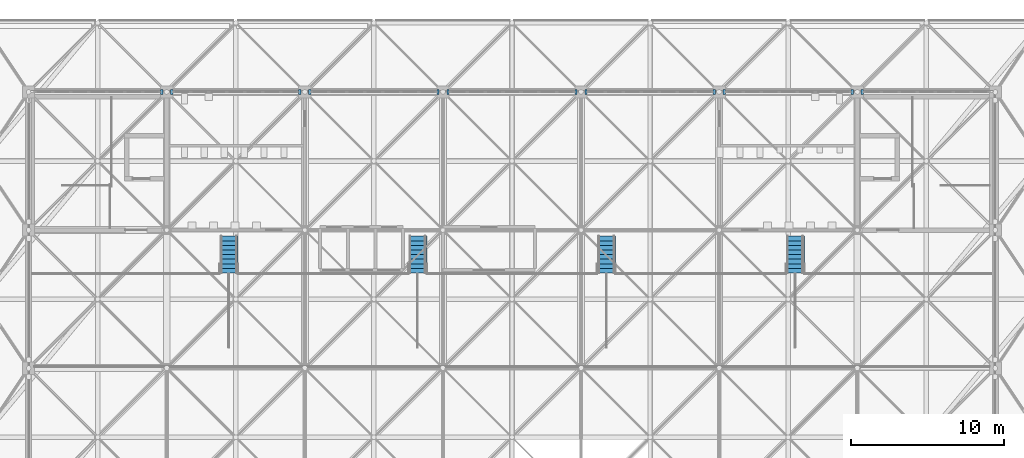
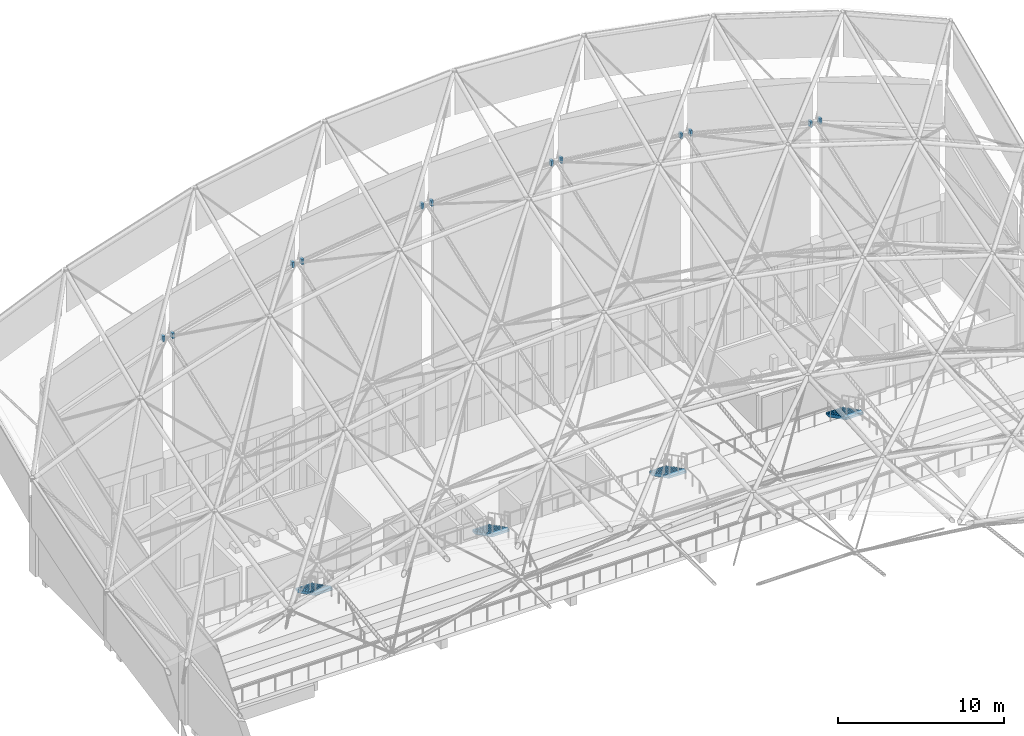
# One storey, part 282 of 437: 12 walls, 4 stair flights, 4 elements without a shape of their own.
"""IFC4 building model written with IfcOpenShell, lengths in metres."""

from ifc_helpers import new_model, si_unit, direction, frame, frame_2d, origin, place, context, subcontext, project, spatial, polyline, rectangle, outline, extrude, material, layer, layer_set, type_object, element, aggregate, save


model = new_model("IFC4")

# Units and contexts
model_context = context("Model", 3, precision=1e-05, world=origin(), true_north=direction((0.0, 1.0)))
body_context = subcontext(model_context, "Body", "Model", "MODEL_VIEW")
ifc_project = project(units=[si_unit("LENGTHUNIT", "METRE"), si_unit("AREAUNIT", "SQUARE_METRE"), si_unit("VOLUMEUNIT", "CUBIC_METRE"), si_unit("PLANEANGLEUNIT", "RADIAN"), si_unit("MASSUNIT", "GRAM", prefix="KILO")], contexts=[model_context])

# Site, building, storey
site_placement = place(None, origin())
site = spatial("IfcSite", under=ifc_project, at=site_placement, CompositionType="ELEMENT")
building_placement = place(site_placement, origin())
building = spatial("IfcBuilding", under=site, at=building_placement, Name="Opaline Strait Convention Centre", CompositionType="ELEMENT")
storey_placement = place(building_placement, frame((0.0, 0.0, 11.5)))
storey = spatial("IfcBuildingStorey", under=building, at=storey_placement, Name="L02", CompositionType="ELEMENT", Elevation=11.5)

# Walls
ifc_material_1 = material(Name="Precast concrete C40/50, white finish", Category="concrete")
ifc_layer_1 = layer(ifc_material_1, 0.219970703125)
ifc_material_2 = material(Name="Mineral wool insulation")
ifc_layer_2 = layer(ifc_material_2, 0.050048828125)
ifc_material_3 = material(Name="Gypsum board lining")
ifc_layer_3 = layer(ifc_material_3, 0.030029296875)
ifc_layer_set = layer_set([ifc_layer_1, ifc_layer_2, ifc_layer_3], Name="Precast concrete C40/50, white finish, Mineral wool insulation, Gypsum board lining")
wall_type = type_object("IfcWallType", Name="White precast end wall panel 300", PredefinedType="STANDARD", material=ifc_layer_set)
for number, where, z_axis, x_axis, name in (
    (1, (17.60009765625, 180.0, 13.968505859375), (0.0, 0.0, 1.0), (1.0, 0.0, 0.0), "PW10 end wall post at hub 1R"),
    (2, (18.25, 180.0, 13.968505859375), (0.0, 0.0, 1.0), (1.0, 0.0, 0.0), "PW10 end wall post at hub 2L"),
):
    element("IfcWall", number, at=place(storey_placement, frame(where, z_axis=z_axis, x_axis=x_axis)), inside=storey, type_object=wall_type, Name=name, PredefinedType="STANDARD", context=body_context, shape_type="SweptSolid", body=[
        extrude(rectangle(XDim=0.14990234375, YDim=0.300048828125, at=frame_2d((0.074951171875, 0.0))), origin(), (0.0, 0.0, 1.0), 0.400146484375),
    ])
for number, where, z_axis, x_axis, name in (
    (3, (26.60009765625, 180.0, 16.25439453125), (0.0, 0.0, 1.0), (1.0, 0.0, 0.0), "PW10 end wall post at hub 2R"),
    (4, (27.25, 180.0, 16.25439453125), (0.0, 0.0, 1.0), (1.0, 0.0, 0.0), "PW10 end wall post at hub 3L"),
    (5, (35.60009765625, 180.0, 17.397216796875), (0.0, 0.0, 1.0), (1.0, 0.0, 0.0), "PW10 end wall post at hub 3R"),
    (6, (36.25, 180.0, 17.397216796875), (0.0, 0.0, 1.0), (1.0, 0.0, 0.0), "PW10 end wall post at hub 4L"),
    (7, (44.60009765625, 180.0, 17.397216796875), (0.0, 0.0, 1.0), (1.0, 0.0, 0.0), "PW10 end wall post at hub 4R"),
    (8, (45.25, 180.0, 17.397216796875), (0.0, 0.0, 1.0), (1.0, 0.0, 0.0), "PW10 end wall post at hub 5L"),
    (9, (53.60009765625, 180.0, 16.25439453125), (0.0, 0.0, 1.0), (1.0, 0.0, 0.0), "PW10 end wall post at hub 5R"),
    (10, (54.25, 180.0, 16.25439453125), (0.0, 0.0, 1.0), (1.0, 0.0, 0.0), "PW10 end wall post at hub 6L"),
):
    element("IfcWall", number, at=place(storey_placement, frame(where, z_axis=z_axis, x_axis=x_axis)), inside=storey, type_object=wall_type, Name=name, PredefinedType="STANDARD", context=body_context, shape_type="SweptSolid", body=[
        extrude(rectangle(XDim=0.14990234375, YDim=0.300048828125, at=frame_2d((0.074951171875, 0.0))), origin(), (0.0, 0.0, 1.0), 0.39990234375),
    ])
for number, where, z_axis, x_axis, name in (
    (11, (62.60009765625, 180.0, 13.968505859375), (0.0, 0.0, 1.0), (1.0, 0.0, 0.0), "PW10 end wall post at hub 6R"),
    (12, (63.25, 180.0, 13.968505859375), (0.0, 0.0, 1.0), (1.0, 0.0, 0.0), "PW10 end wall post at hub 7L"),
):
    element("IfcWall", number, at=place(storey_placement, frame(where, z_axis=z_axis, x_axis=x_axis)), inside=storey, type_object=wall_type, Name=name, PredefinedType="STANDARD", context=body_context, shape_type="SweptSolid", body=[
        extrude(rectangle(XDim=0.14990234375, YDim=0.300048828125, at=frame_2d((0.074951171875, 0.0))), origin(), (0.0, 0.0, 1.0), 0.400146484375),
    ])

# Stair, stair flight
ifc_material_4 = material(Name="Concrete C40", Category="concrete")
stair_type = type_object("IfcStairType", Name="Tier entry stair 1200", PredefinedType="STRAIGHT_RUN_STAIR", material=ifc_material_4)
stair_1_placement = place(storey_placement, origin())
stair_1 = element("IfcStair", 13, at=stair_1_placement, inside=storey, type_object=stair_type, Name="Upper Circle entry stair 1", ObjectType="PST1", PredefinedType="STRAIGHT_RUN_STAIR")
stair_flight_type = type_object("IfcStairFlightType", Name="Tier entry stair flight 1200 precast", PredefinedType="STRAIGHT", material=ifc_material_4)
stair_flight_1_placement = place(storey_placement, frame((22.050048828125, 170.60009765625, 0.0), z_axis=(0.0, 0.0, 1.0), x_axis=(0.0, -1.0, 0.0)))
stair_flight_1 = element("IfcStairFlight", 14, at=stair_flight_1_placement, type_object=stair_flight_type, Name="PSR9 flight 1", ObjectType="PSF1", NumberOfRisers=9, NumberOfTreads=8, PredefinedType="STRAIGHT", RiserHeight=0.151555556, TreadLength=0.3, context=body_context, shape_type="SweptSolid", body=[
    extrude(outline(polyline([(0.0, 0.0), (0.0, 0.151611328125), (0.300048828125, 0.151611328125), (0.300048828125, 0.30322265625), (0.60009765625, 0.30322265625), (0.60009765625, 0.45458984375), (0.89990234375, 0.45458984375), (0.89990234375, 0.606201171875), (1.199951171875, 0.606201171875), (1.199951171875, 0.7578125), (1.5, 0.7578125), (1.5, 0.909423828125), (1.800048828125, 0.909423828125), (1.800048828125, 1.060791015625), (2.10009765625, 1.060791015625), (2.10009765625, 1.21240234375), (2.39990234375, 1.21240234375), (2.39990234375, 1.364013671875), (2.39990234375, 1.04443359375), (0.33251953125, 0.0), (0.0, 0.0)])), frame((0.0, 0.60009765625, 0.0), z_axis=(0.0, -1.0, 0.0), x_axis=(1.0, 0.0, 0.0)), (0.0, 0.0, 1.0), 1.199951171875),
])
aggregate(stair_1, [stair_flight_1])

stair_2_placement = place(storey_placement, origin())
stair_2 = element("IfcStair", 15, at=stair_2_placement, inside=storey, type_object=stair_type, Name="Upper Circle entry stair 2", ObjectType="PST1", PredefinedType="STRAIGHT_RUN_STAIR")
stair_flight_2_placement = place(storey_placement, frame((34.35009765625, 170.60009765625, 0.0), z_axis=(0.0, 0.0, 1.0), x_axis=(0.0, -1.0, 0.0)))
stair_flight_2 = element("IfcStairFlight", 16, at=stair_flight_2_placement, type_object=stair_flight_type, Name="PSR10 flight 1", ObjectType="PSF1", NumberOfRisers=9, NumberOfTreads=8, PredefinedType="STRAIGHT", RiserHeight=0.151555556, TreadLength=0.3, context=body_context, shape_type="SweptSolid", body=[
    extrude(outline(polyline([(0.0, 0.0), (0.0, 0.151611328125), (0.300048828125, 0.151611328125), (0.300048828125, 0.30322265625), (0.60009765625, 0.30322265625), (0.60009765625, 0.45458984375), (0.89990234375, 0.45458984375), (0.89990234375, 0.606201171875), (1.199951171875, 0.606201171875), (1.199951171875, 0.7578125), (1.5, 0.7578125), (1.5, 0.909423828125), (1.800048828125, 0.909423828125), (1.800048828125, 1.060791015625), (2.10009765625, 1.060791015625), (2.10009765625, 1.21240234375), (2.39990234375, 1.21240234375), (2.39990234375, 1.364013671875), (2.39990234375, 1.04443359375), (0.33251953125, 0.0), (0.0, 0.0)])), frame((0.0, 0.60009765625, 0.0), z_axis=(0.0, -1.0, 0.0), x_axis=(1.0, 0.0, 0.0)), (0.0, 0.0, 1.0), 1.199951171875),
])
aggregate(stair_2, [stair_flight_2])

stair_3_placement = place(storey_placement, origin())
stair_3 = element("IfcStair", 17, at=stair_3_placement, inside=storey, type_object=stair_type, Name="Upper Circle entry stair 3", ObjectType="PST1", PredefinedType="STRAIGHT_RUN_STAIR")
stair_flight_3_placement = place(storey_placement, frame((46.64990234375, 170.60009765625, 0.0), z_axis=(0.0, 0.0, 1.0), x_axis=(0.0, -1.0, 0.0)))
stair_flight_3 = element("IfcStairFlight", 18, at=stair_flight_3_placement, type_object=stair_flight_type, Name="PSR11 flight 1", ObjectType="PSF1", NumberOfRisers=9, NumberOfTreads=8, PredefinedType="STRAIGHT", RiserHeight=0.151555556, TreadLength=0.3, context=body_context, shape_type="SweptSolid", body=[
    extrude(outline(polyline([(0.0, 0.0), (0.0, 0.151611328125), (0.300048828125, 0.151611328125), (0.300048828125, 0.30322265625), (0.60009765625, 0.30322265625), (0.60009765625, 0.45458984375), (0.89990234375, 0.45458984375), (0.89990234375, 0.606201171875), (1.199951171875, 0.606201171875), (1.199951171875, 0.7578125), (1.5, 0.7578125), (1.5, 0.909423828125), (1.800048828125, 0.909423828125), (1.800048828125, 1.060791015625), (2.10009765625, 1.060791015625), (2.10009765625, 1.21240234375), (2.39990234375, 1.21240234375), (2.39990234375, 1.364013671875), (2.39990234375, 1.04443359375), (0.33251953125, 0.0), (0.0, 0.0)])), frame((0.0, 0.60009765625, 0.0), z_axis=(0.0, -1.0, 0.0), x_axis=(1.0, 0.0, 0.0)), (0.0, 0.0, 1.0), 1.199951171875),
])
aggregate(stair_3, [stair_flight_3])

stair_4_placement = place(storey_placement, origin())
stair_4 = element("IfcStair", 19, at=stair_4_placement, inside=storey, type_object=stair_type, Name="Upper Circle entry stair 4", ObjectType="PST1", PredefinedType="STRAIGHT_RUN_STAIR")
stair_flight_4_placement = place(storey_placement, frame((58.949951171875, 170.60009765625, 0.0), z_axis=(0.0, 0.0, 1.0), x_axis=(0.0, -1.0, 0.0)))
stair_flight_4 = element("IfcStairFlight", 20, at=stair_flight_4_placement, type_object=stair_flight_type, Name="PSR12 flight 1", ObjectType="PSF1", NumberOfRisers=9, NumberOfTreads=8, PredefinedType="STRAIGHT", RiserHeight=0.151555556, TreadLength=0.3, context=body_context, shape_type="SweptSolid", body=[
    extrude(outline(polyline([(0.0, 0.0), (0.0, 0.151611328125), (0.300048828125, 0.151611328125), (0.300048828125, 0.30322265625), (0.60009765625, 0.30322265625), (0.60009765625, 0.45458984375), (0.89990234375, 0.45458984375), (0.89990234375, 0.606201171875), (1.199951171875, 0.606201171875), (1.199951171875, 0.7578125), (1.5, 0.7578125), (1.5, 0.909423828125), (1.800048828125, 0.909423828125), (1.800048828125, 1.060791015625), (2.10009765625, 1.060791015625), (2.10009765625, 1.21240234375), (2.39990234375, 1.21240234375), (2.39990234375, 1.364013671875), (2.39990234375, 1.04443359375), (0.33251953125, 0.0), (0.0, 0.0)])), frame((0.0, 0.60009765625, 0.0), z_axis=(0.0, -1.0, 0.0), x_axis=(1.0, 0.0, 0.0)), (0.0, 0.0, 1.0), 1.199951171875),
])
aggregate(stair_4, [stair_flight_4])

save(model, "model.ifc")
